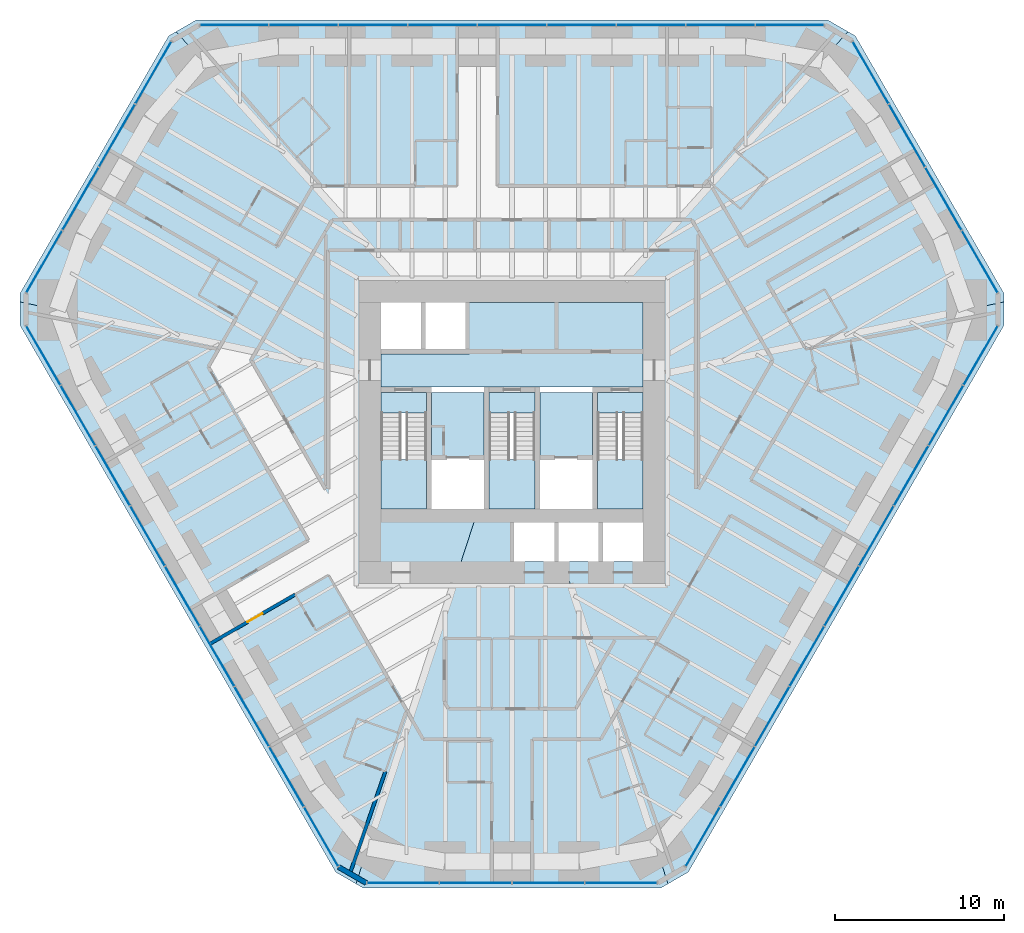
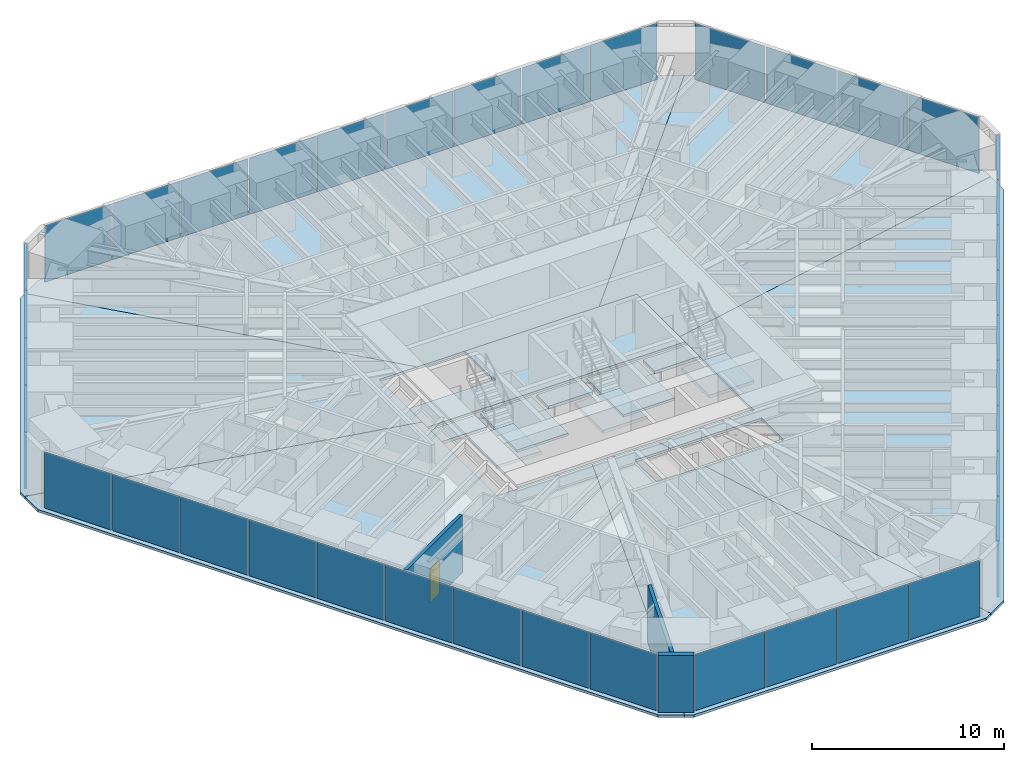
# One storey, part 10 of 17: 39 plates, 15 slabs, 3 walls, 1 door, 1 opening, 9 elements without a shape of their own.
"""IFC4 building model written with IfcOpenShell, lengths in metres."""

from ifc_helpers import new_model, si_unit, direction, frame, frame_2d, origin, origin_2d, place, context, subcontext, project, spatial, polyline, rectangle, outline, extrude, material, layer, layer_set, type_object, element, fill, aggregate, save


model = new_model("IFC4")

# Units and contexts
model_context = context("Model", 3, precision=1e-05, world=origin(), true_north=direction((0.0, 1.0)))
body_context = subcontext(model_context, "Body", "Model", "MODEL_VIEW")
ifc_project = project(units=[si_unit("LENGTHUNIT", "METRE"), si_unit("AREAUNIT", "SQUARE_METRE"), si_unit("VOLUMEUNIT", "CUBIC_METRE"), si_unit("PLANEANGLEUNIT", "RADIAN"), si_unit("MASSUNIT", "GRAM", prefix="KILO")], contexts=[model_context])

# Site, building, storey
site_placement = place(None, origin())
site = spatial("IfcSite", under=ifc_project, at=site_placement, CompositionType="ELEMENT")
building_placement = place(site_placement, origin())
building = spatial("IfcBuilding", under=site, at=building_placement, Name="Sandreach Pilgrim Tower", CompositionType="ELEMENT")
storey_placement = place(building_placement, frame((0.0, 0.0, 100.60009765625)))
storey = spatial("IfcBuildingStorey", under=building, at=storey_placement, Name="L24", CompositionType="ELEMENT", Elevation=100.60009765625)

# Curtain wall, plates
ifc_material_1 = material(Name="Aluminium framed curtain wall", Category="aluminium")
curtain_wall_type = type_object("IfcCurtainWallType", Name="Hotel tower curtain wall", PredefinedType="NOTDEFINED", material=ifc_material_1)
curtain_wall_1_placement = place(storey_placement, origin())
curtain_wall_1 = element("IfcCurtainWall", 1, at=curtain_wall_1_placement, inside=storey, type_object=curtain_wall_type, Name="CW-2 L24 N", PredefinedType="NOTDEFINED")
ifc_material_2 = material(Name="Insulating glass unit 8 heat-strengthened + 16 argon + 8 heat-strengthened", Category="glass")
ifc_layer_1 = layer(ifc_material_2, 0.031982421875)
ifc_layer_set_1 = layer_set([ifc_layer_1], Name="CW-2 panel")
plate_type = type_object("IfcPlateType", Name="CW-2 panel", PredefinedType="CURTAIN_PANEL", material=ifc_layer_set_1)
plate_1_placement = place(storey_placement, frame((-16.41162109375, 22.493896484375, 0.0), z_axis=(0.0, 0.0, 1.0), x_axis=(1.0, 0.0, 0.0)))
plate_1 = element("IfcPlate", 2, at=plate_1_placement, type_object=plate_type, Name="CW-2 panel 1", PredefinedType="CURTAIN_PANEL", context=body_context, shape_type="SweptSolid", body=[
    extrude(rectangle(XDim=4.009521484375, YDim=0.031982421875, at=origin_2d()), origin(), (0.0, 0.0, 1.0), 3.570068359375),
])
plate_2_placement = place(storey_placement, frame((-12.32080078125, 22.493896484375, 0.0), z_axis=(0.0, 0.0, 1.0), x_axis=(1.0, 0.0, 0.0)))
plate_2 = element("IfcPlate", 3, at=plate_2_placement, type_object=plate_type, Name="CW-2 panel 2", PredefinedType="CURTAIN_PANEL", context=body_context, shape_type="SweptSolid", body=[
    extrude(rectangle(XDim=4.0419921875, YDim=0.031982421875, at=origin_2d()), origin(), (0.0, 0.0, 1.0), 3.570068359375),
])
plate_3_placement = place(storey_placement, frame((-8.2138671875, 22.493896484375, 0.0), z_axis=(0.0, 0.0, 1.0), x_axis=(1.0, 0.0, 0.0)))
plate_3 = element("IfcPlate", 4, at=plate_3_placement, type_object=plate_type, Name="CW-2 panel 3", PredefinedType="CURTAIN_PANEL", context=body_context, shape_type="SweptSolid", body=[
    extrude(rectangle(XDim=4.0419921875, YDim=0.031982421875, at=origin_2d()), origin(), (0.0, 0.0, 1.0), 3.570068359375),
])
plate_4_placement = place(storey_placement, frame((-4.10693359375, 22.493896484375, 0.0), z_axis=(0.0, 0.0, 1.0), x_axis=(1.0, 0.0, 0.0)))
plate_4 = element("IfcPlate", 5, at=plate_4_placement, type_object=plate_type, Name="CW-2 panel 4", PredefinedType="CURTAIN_PANEL", context=body_context, shape_type="SweptSolid", body=[
    extrude(rectangle(XDim=4.0419921875, YDim=0.031982421875, at=origin_2d()), origin(), (0.0, 0.0, 1.0), 3.570068359375),
])
plate_5_placement = place(storey_placement, frame((0.0, 22.493896484375, 0.0), z_axis=(0.0, 0.0, 1.0), x_axis=(1.0, 0.0, 0.0)))
plate_5 = element("IfcPlate", 6, at=plate_5_placement, type_object=plate_type, Name="CW-2 panel 5", PredefinedType="CURTAIN_PANEL", context=body_context, shape_type="SweptSolid", body=[
    extrude(rectangle(XDim=4.0419921875, YDim=0.031982421875, at=origin_2d()), origin(), (0.0, 0.0, 1.0), 3.570068359375),
])
plate_6_placement = place(storey_placement, frame((4.10693359375, 22.493896484375, 0.0), z_axis=(0.0, 0.0, 1.0), x_axis=(1.0, 0.0, 0.0)))
plate_6 = element("IfcPlate", 7, at=plate_6_placement, type_object=plate_type, Name="CW-2 panel 6", PredefinedType="CURTAIN_PANEL", context=body_context, shape_type="SweptSolid", body=[
    extrude(rectangle(XDim=4.0419921875, YDim=0.031982421875, at=origin_2d()), origin(), (0.0, 0.0, 1.0), 3.570068359375),
])
plate_7_placement = place(storey_placement, frame((8.2138671875, 22.493896484375, 0.0), z_axis=(0.0, 0.0, 1.0), x_axis=(1.0, 0.0, 0.0)))
plate_7 = element("IfcPlate", 8, at=plate_7_placement, type_object=plate_type, Name="CW-2 panel 7", PredefinedType="CURTAIN_PANEL", context=body_context, shape_type="SweptSolid", body=[
    extrude(rectangle(XDim=4.0419921875, YDim=0.031982421875, at=origin_2d()), origin(), (0.0, 0.0, 1.0), 3.570068359375),
])
plate_8_placement = place(storey_placement, frame((12.32080078125, 22.493896484375, 0.0), z_axis=(0.0, 0.0, 1.0), x_axis=(1.0, 0.0, 0.0)))
plate_8 = element("IfcPlate", 9, at=plate_8_placement, type_object=plate_type, Name="CW-2 panel 8", PredefinedType="CURTAIN_PANEL", context=body_context, shape_type="SweptSolid", body=[
    extrude(rectangle(XDim=4.0419921875, YDim=0.031982421875, at=origin_2d()), origin(), (0.0, 0.0, 1.0), 3.570068359375),
])
plate_9_placement = place(storey_placement, frame((16.41162109375, 22.493896484375, 0.0), z_axis=(0.0, 0.0, 1.0), x_axis=(1.0, 0.0, 0.0)))
plate_9 = element("IfcPlate", 10, at=plate_9_placement, type_object=plate_type, Name="CW-2 panel 9", PredefinedType="CURTAIN_PANEL", context=body_context, shape_type="SweptSolid", body=[
    extrude(rectangle(XDim=4.009521484375, YDim=0.031982421875, at=origin_2d()), origin(), (0.0, 0.0, 1.0), 3.570068359375),
])
aggregate(curtain_wall_1, [plate_1, plate_2, plate_3, plate_4, plate_5, plate_6, plate_7, plate_8, plate_9])

curtain_wall_2_placement = place(storey_placement, origin())
curtain_wall_2 = element("IfcCurtainWall", 11, at=curtain_wall_2_placement, inside=storey, type_object=curtain_wall_type, Name="CW-2 L24 NE", PredefinedType="NOTDEFINED")
plate_10_placement = place(storey_placement, frame((21.194091796875, 19.67529296875, 0.0), z_axis=(0.0, 0.0, 1.0), x_axis=(0.5, -0.866025403784, 0.0)))
plate_10 = element("IfcPlate", 12, at=plate_10_placement, type_object=plate_type, Name="CW-2 panel 1", PredefinedType="CURTAIN_PANEL", context=body_context, shape_type="SweptSolid", body=[
    extrude(rectangle(XDim=4.208251953125, YDim=0.031982421875, at=origin_2d()), origin(), (0.0, 0.0, 1.0), 3.570068359375),
])
plate_11_placement = place(storey_placement, frame((23.3388671875, 15.96044921875, 0.0), z_axis=(0.0, 0.0, 1.0), x_axis=(0.5, -0.866025403784, 0.0)))
plate_11 = element("IfcPlate", 13, at=plate_11_placement, type_object=plate_type, Name="CW-2 panel 2", PredefinedType="CURTAIN_PANEL", context=body_context, shape_type="SweptSolid", body=[
    extrude(rectangle(XDim=4.24072265625, YDim=0.031982421875, at=origin_2d()), origin(), (0.0, 0.0, 1.0), 3.570068359375),
])
plate_12_placement = place(storey_placement, frame((25.49169921875, 12.231689453125, 0.0), z_axis=(0.0, 0.0, 1.0), x_axis=(0.5, -0.866025403784, 0.0)))
plate_12 = element("IfcPlate", 14, at=plate_12_placement, type_object=plate_type, Name="CW-2 panel 3", PredefinedType="CURTAIN_PANEL", context=body_context, shape_type="SweptSolid", body=[
    extrude(rectangle(XDim=4.24072265625, YDim=0.031982421875, at=origin_2d()), origin(), (0.0, 0.0, 1.0), 3.570068359375),
])
plate_13_placement = place(storey_placement, frame((27.63623046875, 8.516845703125, 0.0), z_axis=(0.0, 0.0, 1.0), x_axis=(0.5, -0.866025403784, 0.0)))
plate_13 = element("IfcPlate", 15, at=plate_13_placement, type_object=plate_type, Name="CW-2 panel 4", PredefinedType="CURTAIN_PANEL", context=body_context, shape_type="SweptSolid", body=[
    extrude(rectangle(XDim=4.208251953125, YDim=0.031982421875, at=origin_2d()), origin(), (0.0, 0.0, 1.0), 3.570068359375),
])
aggregate(curtain_wall_2, [plate_10, plate_11, plate_12, plate_13])

curtain_wall_3_placement = place(storey_placement, origin())
curtain_wall_3 = element("IfcCurtainWall", 16, at=curtain_wall_3_placement, inside=storey, type_object=curtain_wall_type, Name="CW-2 L24 SE", PredefinedType="NOTDEFINED")
plate_14_placement = place(storey_placement, frame((27.68603515625, 2.966064453125, 0.0), z_axis=(0.0, 0.0, 1.0), x_axis=(-0.5, -0.866025403784, 0.0)))
plate_14 = element("IfcPlate", 17, at=plate_14_placement, type_object=plate_type, Name="CW-2 panel 1", PredefinedType="CURTAIN_PANEL", context=body_context, shape_type="SweptSolid", body=[
    extrude(rectangle(XDim=4.009521484375, YDim=0.031982421875, at=origin_2d()), origin(), (0.0, 0.0, 1.0), 3.570068359375),
])
plate_15_placement = place(storey_placement, frame((25.640625, -0.57666015625, 0.0), z_axis=(0.0, 0.0, 1.0), x_axis=(-0.5, -0.866025403784, 0.0)))
plate_15 = element("IfcPlate", 18, at=plate_15_placement, type_object=plate_type, Name="CW-2 panel 2", PredefinedType="CURTAIN_PANEL", context=body_context, shape_type="SweptSolid", body=[
    extrude(rectangle(XDim=4.0419921875, YDim=0.031982421875, at=origin_2d()), origin(), (0.0, 0.0, 1.0), 3.570068359375),
])
plate_16_placement = place(storey_placement, frame((23.587158203125, -4.13330078125, 0.0), z_axis=(0.0, 0.0, 1.0), x_axis=(-0.5, -0.866025403784, 0.0)))
plate_16 = element("IfcPlate", 19, at=plate_16_placement, type_object=plate_type, Name="CW-2 panel 3", PredefinedType="CURTAIN_PANEL", context=body_context, shape_type="SweptSolid", body=[
    extrude(rectangle(XDim=4.0419921875, YDim=0.031982421875, at=origin_2d()), origin(), (0.0, 0.0, 1.0), 3.570068359375),
])
plate_17_placement = place(storey_placement, frame((21.53369140625, -7.690185546875, 0.0), z_axis=(0.0, 0.0, 1.0), x_axis=(-0.5, -0.866025403784, 0.0)))
plate_17 = element("IfcPlate", 20, at=plate_17_placement, type_object=plate_type, Name="CW-2 panel 4", PredefinedType="CURTAIN_PANEL", context=body_context, shape_type="SweptSolid", body=[
    extrude(rectangle(XDim=4.0419921875, YDim=0.031982421875, at=origin_2d()), origin(), (0.0, 0.0, 1.0), 3.570068359375),
])
plate_18_placement = place(storey_placement, frame((19.480224609375, -11.246826171875, 0.0), z_axis=(0.0, 0.0, 1.0), x_axis=(-0.5, -0.866025403784, 0.0)))
plate_18 = element("IfcPlate", 21, at=plate_18_placement, type_object=plate_type, Name="CW-2 panel 5", PredefinedType="CURTAIN_PANEL", context=body_context, shape_type="SweptSolid", body=[
    extrude(rectangle(XDim=4.0419921875, YDim=0.031982421875, at=origin_2d()), origin(), (0.0, 0.0, 1.0), 3.570068359375),
])
plate_19_placement = place(storey_placement, frame((17.4267578125, -14.8037109375, 0.0), z_axis=(0.0, 0.0, 1.0), x_axis=(-0.5, -0.866025403784, 0.0)))
plate_19 = element("IfcPlate", 22, at=plate_19_placement, type_object=plate_type, Name="CW-2 panel 6", PredefinedType="CURTAIN_PANEL", context=body_context, shape_type="SweptSolid", body=[
    extrude(rectangle(XDim=4.0419921875, YDim=0.031982421875, at=origin_2d()), origin(), (0.0, 0.0, 1.0), 3.570068359375),
])
plate_20_placement = place(storey_placement, frame((15.373291015625, -18.3603515625, 0.0), z_axis=(0.0, 0.0, 1.0), x_axis=(-0.5, -0.866025403784, 0.0)))
plate_20 = element("IfcPlate", 23, at=plate_20_placement, type_object=plate_type, Name="CW-2 panel 7", PredefinedType="CURTAIN_PANEL", context=body_context, shape_type="SweptSolid", body=[
    extrude(rectangle(XDim=4.0419921875, YDim=0.031982421875, at=origin_2d()), origin(), (0.0, 0.0, 1.0), 3.570068359375),
])
plate_21_placement = place(storey_placement, frame((13.31982421875, -21.917236328125, 0.0), z_axis=(0.0, 0.0, 1.0), x_axis=(-0.5, -0.866025403784, 0.0)))
plate_21 = element("IfcPlate", 24, at=plate_21_placement, type_object=plate_type, Name="CW-2 panel 8", PredefinedType="CURTAIN_PANEL", context=body_context, shape_type="SweptSolid", body=[
    extrude(rectangle(XDim=4.0419921875, YDim=0.031982421875, at=origin_2d()), origin(), (0.0, 0.0, 1.0), 3.570068359375),
])
plate_22_placement = place(storey_placement, frame((11.2744140625, -25.459716796875, 0.0), z_axis=(0.0, 0.0, 1.0), x_axis=(-0.5, -0.866025403784, 0.0)))
plate_22 = element("IfcPlate", 25, at=plate_22_placement, type_object=plate_type, Name="CW-2 panel 9", PredefinedType="CURTAIN_PANEL", context=body_context, shape_type="SweptSolid", body=[
    extrude(rectangle(XDim=4.009521484375, YDim=0.031982421875, at=origin_2d()), origin(), (0.0, 0.0, 1.0), 3.570068359375),
])
aggregate(curtain_wall_3, [plate_14, plate_15, plate_16, plate_17, plate_18, plate_19, plate_20, plate_21, plate_22])

curtain_wall_4_placement = place(storey_placement, origin())
curtain_wall_4 = element("IfcCurtainWall", 26, at=curtain_wall_4_placement, inside=storey, type_object=curtain_wall_type, Name="CW-2 L24 S", PredefinedType="NOTDEFINED")
plate_23_placement = place(storey_placement, frame((6.4423828125, -28.192138671875, 0.0), z_axis=(0.0, 0.0, 1.0), x_axis=(-1.0, 0.0, 0.0)))
plate_23 = element("IfcPlate", 27, at=plate_23_placement, type_object=plate_type, Name="CW-2 panel 1", PredefinedType="CURTAIN_PANEL", context=body_context, shape_type="SweptSolid", body=[
    extrude(rectangle(XDim=4.208251953125, YDim=0.031982421875, at=origin_2d()), origin(), (0.0, 0.0, 1.0), 3.570068359375),
])
plate_24_placement = place(storey_placement, frame((2.15283203125, -28.192138671875, 0.0), z_axis=(0.0, 0.0, 1.0), x_axis=(-1.0, 0.0, 0.0)))
plate_24 = element("IfcPlate", 28, at=plate_24_placement, type_object=plate_type, Name="CW-2 panel 2", PredefinedType="CURTAIN_PANEL", context=body_context, shape_type="SweptSolid", body=[
    extrude(rectangle(XDim=4.24072265625, YDim=0.031982421875, at=origin_2d()), origin(), (0.0, 0.0, 1.0), 3.570068359375),
])
plate_25_placement = place(storey_placement, frame((-2.15283203125, -28.192138671875, 0.0), z_axis=(0.0, 0.0, 1.0), x_axis=(-1.0, 0.0, 0.0)))
plate_25 = element("IfcPlate", 29, at=plate_25_placement, type_object=plate_type, Name="CW-2 panel 3", PredefinedType="CURTAIN_PANEL", context=body_context, shape_type="SweptSolid", body=[
    extrude(rectangle(XDim=4.24072265625, YDim=0.031982421875, at=origin_2d()), origin(), (0.0, 0.0, 1.0), 3.570068359375),
])
plate_26_placement = place(storey_placement, frame((-6.4423828125, -28.192138671875, 0.0), z_axis=(0.0, 0.0, 1.0), x_axis=(-1.0, 0.0, 0.0)))
plate_26 = element("IfcPlate", 30, at=plate_26_placement, type_object=plate_type, Name="CW-2 panel 4", PredefinedType="CURTAIN_PANEL", context=body_context, shape_type="SweptSolid", body=[
    extrude(rectangle(XDim=4.208251953125, YDim=0.031982421875, at=origin_2d()), origin(), (0.0, 0.0, 1.0), 3.570068359375),
])
aggregate(curtain_wall_4, [plate_23, plate_24, plate_25, plate_26])

curtain_wall_5_placement = place(storey_placement, origin())
curtain_wall_5 = element("IfcCurtainWall", 31, at=curtain_wall_5_placement, inside=storey, type_object=curtain_wall_type, Name="CW-2 L24 SW", PredefinedType="NOTDEFINED")
plate_27_placement = place(storey_placement, frame((-11.2744140625, -25.459716796875, 0.0), z_axis=(0.0, 0.0, 1.0), x_axis=(-0.5, 0.866025403784, 0.0)))
plate_27 = element("IfcPlate", 32, at=plate_27_placement, type_object=plate_type, Name="CW-2 panel 1", PredefinedType="CURTAIN_PANEL", context=body_context, shape_type="SweptSolid", body=[
    extrude(rectangle(XDim=4.009521484375, YDim=0.031982421875, at=origin_2d()), origin(), (0.0, 0.0, 1.0), 3.570068359375),
])
plate_28_placement = place(storey_placement, frame((-13.31982421875, -21.917236328125, 0.0), z_axis=(0.0, 0.0, 1.0), x_axis=(-0.5, 0.866025403784, 0.0)))
plate_28 = element("IfcPlate", 33, at=plate_28_placement, type_object=plate_type, Name="CW-2 panel 2", PredefinedType="CURTAIN_PANEL", context=body_context, shape_type="SweptSolid", body=[
    extrude(rectangle(XDim=4.0419921875, YDim=0.031982421875, at=origin_2d()), origin(), (0.0, 0.0, 1.0), 3.570068359375),
])
plate_29_placement = place(storey_placement, frame((-15.373291015625, -18.3603515625, 0.0), z_axis=(0.0, 0.0, 1.0), x_axis=(-0.5, 0.866025403784, 0.0)))
plate_29 = element("IfcPlate", 34, at=plate_29_placement, type_object=plate_type, Name="CW-2 panel 3", PredefinedType="CURTAIN_PANEL", context=body_context, shape_type="SweptSolid", body=[
    extrude(rectangle(XDim=4.0419921875, YDim=0.031982421875, at=origin_2d()), origin(), (0.0, 0.0, 1.0), 3.570068359375),
])
plate_30_placement = place(storey_placement, frame((-17.4267578125, -14.8037109375, 0.0), z_axis=(0.0, 0.0, 1.0), x_axis=(-0.5, 0.866025403784, 0.0)))
plate_30 = element("IfcPlate", 35, at=plate_30_placement, type_object=plate_type, Name="CW-2 panel 4", PredefinedType="CURTAIN_PANEL", context=body_context, shape_type="SweptSolid", body=[
    extrude(rectangle(XDim=4.0419921875, YDim=0.031982421875, at=origin_2d()), origin(), (0.0, 0.0, 1.0), 3.570068359375),
])
plate_31_placement = place(storey_placement, frame((-19.480224609375, -11.246826171875, 0.0), z_axis=(0.0, 0.0, 1.0), x_axis=(-0.5, 0.866025403784, 0.0)))
plate_31 = element("IfcPlate", 36, at=plate_31_placement, type_object=plate_type, Name="CW-2 panel 5", PredefinedType="CURTAIN_PANEL", context=body_context, shape_type="SweptSolid", body=[
    extrude(rectangle(XDim=4.0419921875, YDim=0.031982421875, at=origin_2d()), origin(), (0.0, 0.0, 1.0), 3.570068359375),
])
plate_32_placement = place(storey_placement, frame((-21.53369140625, -7.690185546875, 0.0), z_axis=(0.0, 0.0, 1.0), x_axis=(-0.5, 0.866025403784, 0.0)))
plate_32 = element("IfcPlate", 37, at=plate_32_placement, type_object=plate_type, Name="CW-2 panel 6", PredefinedType="CURTAIN_PANEL", context=body_context, shape_type="SweptSolid", body=[
    extrude(rectangle(XDim=4.0419921875, YDim=0.031982421875, at=origin_2d()), origin(), (0.0, 0.0, 1.0), 3.570068359375),
])
plate_33_placement = place(storey_placement, frame((-23.587158203125, -4.13330078125, 0.0), z_axis=(0.0, 0.0, 1.0), x_axis=(-0.5, 0.866025403784, 0.0)))
plate_33 = element("IfcPlate", 38, at=plate_33_placement, type_object=plate_type, Name="CW-2 panel 7", PredefinedType="CURTAIN_PANEL", context=body_context, shape_type="SweptSolid", body=[
    extrude(rectangle(XDim=4.0419921875, YDim=0.031982421875, at=origin_2d()), origin(), (0.0, 0.0, 1.0), 3.570068359375),
])
plate_34_placement = place(storey_placement, frame((-25.640625, -0.57666015625, 0.0), z_axis=(0.0, 0.0, 1.0), x_axis=(-0.5, 0.866025403784, 0.0)))
plate_34 = element("IfcPlate", 39, at=plate_34_placement, type_object=plate_type, Name="CW-2 panel 8", PredefinedType="CURTAIN_PANEL", context=body_context, shape_type="SweptSolid", body=[
    extrude(rectangle(XDim=4.0419921875, YDim=0.031982421875, at=origin_2d()), origin(), (0.0, 0.0, 1.0), 3.570068359375),
])
plate_35_placement = place(storey_placement, frame((-27.68603515625, 2.966064453125, 0.0), z_axis=(0.0, 0.0, 1.0), x_axis=(-0.5, 0.866025403784, 0.0)))
plate_35 = element("IfcPlate", 40, at=plate_35_placement, type_object=plate_type, Name="CW-2 panel 9", PredefinedType="CURTAIN_PANEL", context=body_context, shape_type="SweptSolid", body=[
    extrude(rectangle(XDim=4.009521484375, YDim=0.031982421875, at=origin_2d()), origin(), (0.0, 0.0, 1.0), 3.570068359375),
])
aggregate(curtain_wall_5, [plate_27, plate_28, plate_29, plate_30, plate_31, plate_32, plate_33, plate_34, plate_35])

curtain_wall_6_placement = place(storey_placement, origin())
curtain_wall_6 = element("IfcCurtainWall", 41, at=curtain_wall_6_placement, inside=storey, type_object=curtain_wall_type, Name="CW-2 L24 NW", PredefinedType="NOTDEFINED")
plate_36_placement = place(storey_placement, frame((-27.63623046875, 8.516845703125, 0.0), z_axis=(0.0, 0.0, 1.0), x_axis=(0.5, 0.866025403784, 0.0)))
plate_36 = element("IfcPlate", 42, at=plate_36_placement, type_object=plate_type, Name="CW-2 panel 1", PredefinedType="CURTAIN_PANEL", context=body_context, shape_type="SweptSolid", body=[
    extrude(rectangle(XDim=4.208251953125, YDim=0.031982421875, at=origin_2d()), origin(), (0.0, 0.0, 1.0), 3.570068359375),
])
plate_37_placement = place(storey_placement, frame((-25.49169921875, 12.231689453125, 0.0), z_axis=(0.0, 0.0, 1.0), x_axis=(0.5, 0.866025403784, 0.0)))
plate_37 = element("IfcPlate", 43, at=plate_37_placement, type_object=plate_type, Name="CW-2 panel 2", PredefinedType="CURTAIN_PANEL", context=body_context, shape_type="SweptSolid", body=[
    extrude(rectangle(XDim=4.24072265625, YDim=0.031982421875, at=origin_2d()), origin(), (0.0, 0.0, 1.0), 3.570068359375),
])
plate_38_placement = place(storey_placement, frame((-23.3388671875, 15.96044921875, 0.0), z_axis=(0.0, 0.0, 1.0), x_axis=(0.5, 0.866025403784, 0.0)))
plate_38 = element("IfcPlate", 44, at=plate_38_placement, type_object=plate_type, Name="CW-2 panel 3", PredefinedType="CURTAIN_PANEL", context=body_context, shape_type="SweptSolid", body=[
    extrude(rectangle(XDim=4.24072265625, YDim=0.031982421875, at=origin_2d()), origin(), (0.0, 0.0, 1.0), 3.570068359375),
])
plate_39_placement = place(storey_placement, frame((-21.194091796875, 19.67529296875, 0.0), z_axis=(0.0, 0.0, 1.0), x_axis=(0.5, 0.866025403784, 0.0)))
plate_39 = element("IfcPlate", 45, at=plate_39_placement, type_object=plate_type, Name="CW-2 panel 4", PredefinedType="CURTAIN_PANEL", context=body_context, shape_type="SweptSolid", body=[
    extrude(rectangle(XDim=4.208251953125, YDim=0.031982421875, at=origin_2d()), origin(), (0.0, 0.0, 1.0), 3.570068359375),
])
aggregate(curtain_wall_6, [plate_36, plate_37, plate_38, plate_39])

# Slabs
ifc_material_3 = material(Name="Concrete 8000 psi", Category="concrete")
ifc_layer_2 = layer(ifc_material_3, 0.159912109375)
ifc_layer_set_2 = layer_set([ifc_layer_2], Name="Composite floor slab 160")
slab_type_1 = type_object("IfcSlabType", Name="Composite floor slab 160", PredefinedType="FLOOR", material=ifc_layer_set_2)
slab_1_placement = place(storey_placement, frame((0.0, 0.0, -0.16015625)))
element("IfcSlab", 46, at=slab_1_placement, inside=storey, type_object=slab_type_1, Name="Floor slab L24 N sector", PredefinedType="FLOOR", context=body_context, shape_type="SweptSolid", body=[
    extrude(outline(polyline([(-18.654541015625, 22.793701171875), (18.654541015625, 22.793701171875), (19.848388671875, 22.1044921875), (5.477294921875, 6.10009765625), (-5.477294921875, 6.10009765625), (-19.848388671875, 22.1044921875), (-18.654541015625, 22.793701171875)])), origin(), (0.0, 0.0, 1.0), 0.16015625),
])
slab_2_placement = place(storey_placement, frame((0.0, 0.0, -0.16015625)))
element("IfcSlab", 47, at=slab_2_placement, inside=storey, type_object=slab_type_1, Name="Floor slab L24 NE sector", PredefinedType="FLOOR", context=body_context, shape_type="SweptSolid", body=[
    extrude(outline(polyline([(20.28271484375, 21.853759765625), (29.0673828125, 6.638427734375), (29.0673828125, 6.13720703125), (7.75, 1.63623046875), (7.75, 6.10009765625), (5.477294921875, 6.10009765625), (19.848388671875, 22.1044921875), (20.28271484375, 21.853759765625)])), origin(), (0.0, 0.0, 1.0), 0.16015625),
])
slab_3_placement = place(storey_placement, frame((0.0, 0.0, -0.16015625)))
element("IfcSlab", 48, at=slab_3_placement, inside=storey, type_object=slab_type_1, Name="Floor slab L24 SE sector", PredefinedType="FLOOR", context=body_context, shape_type="SweptSolid", body=[
    extrude(outline(polyline([(29.0673828125, 4.75830078125), (10.41259765625, -27.55224609375), (9.21875, -28.241455078125), (3.003173828125, -9.199951171875), (7.75, -9.199951171875), (7.75, -6.89990234375), (2.252197265625, -6.89990234375), (1.9912109375, -6.10009765625), (7.75, -6.10009765625), (7.75, 1.63623046875), (29.0673828125, 6.13720703125), (29.0673828125, 4.75830078125)])), origin(), (0.0, 0.0, 1.0), 0.16015625),
])
slab_4_placement = place(storey_placement, frame((0.0, 0.0, -0.16015625)))
element("IfcSlab", 49, at=slab_4_placement, inside=storey, type_object=slab_type_1, Name="Floor slab L24 S sector", PredefinedType="FLOOR", context=body_context, shape_type="SweptSolid", body=[
    extrude(outline(polyline([(8.78466796875, -28.4921875), (-8.78466796875, -28.4921875), (-9.21875, -28.241455078125), (-1.9912109375, -6.10009765625), (1.9912109375, -6.10009765625), (2.252197265625, -6.89990234375), (0.125, -6.89990234375), (0.125, -9.199951171875), (3.003173828125, -9.199951171875), (9.21875, -28.241455078125), (8.78466796875, -28.4921875)])), origin(), (0.0, 0.0, 1.0), 0.16015625),
])
slab_5_placement = place(storey_placement, frame((0.0, 0.0, -0.16015625)))
element("IfcSlab", 50, at=slab_5_placement, inside=storey, type_object=slab_type_1, Name="Floor slab L24 SW sector", PredefinedType="FLOOR", context=body_context, shape_type="SweptSolid", body=[
    extrude(outline(polyline([(-10.41259765625, -27.55224609375), (-29.0673828125, 4.75830078125), (-29.0673828125, 6.13720703125), (-7.75, 1.63623046875), (-7.75, -6.10009765625), (-1.9912109375, -6.10009765625), (-9.21875, -28.241455078125), (-10.41259765625, -27.55224609375)])), origin(), (0.0, 0.0, 1.0), 0.16015625),
])
slab_6_placement = place(storey_placement, frame((0.0, 0.0, -0.16015625)))
element("IfcSlab", 51, at=slab_6_placement, inside=storey, type_object=slab_type_1, Name="Floor slab L24 NW sector", PredefinedType="FLOOR", context=body_context, shape_type="SweptSolid", body=[
    extrude(outline(polyline([(-29.0673828125, 6.638427734375), (-20.28271484375, 21.853759765625), (-19.848388671875, 22.1044921875), (-5.477294921875, 6.10009765625), (-7.75, 6.10009765625), (-7.75, 1.63623046875), (-29.0673828125, 6.13720703125), (-29.0673828125, 6.638427734375)])), origin(), (0.0, 0.0, 1.0), 0.16015625),
])
slab_7_placement = place(storey_placement, frame((0.0, 0.0, -0.16015625)))
element("IfcSlab", 52, at=slab_7_placement, inside=storey, type_object=slab_type_1, Name="Core floor slab L24", PredefinedType="FLOOR", context=body_context, shape_type="SweptSolid", body=[
    extrude(outline(polyline([(-7.75, 3.050048828125), (-5.375, 3.050048828125), (-5.125, 3.050048828125), (-2.5, 3.050048828125), (-2.5, 3.35009765625), (-2.60009765625, 3.35009765625), (-2.60009765625, 6.10009765625), (7.75, 6.10009765625), (7.75, 1.10009765625), (5.050048828125, 1.10009765625), (4.75, 1.10009765625), (1.64990234375, 1.10009765625), (1.35009765625, 1.10009765625), (-1.35009765625, 1.10009765625), (-1.64990234375, 1.10009765625), (-4.75, 1.10009765625), (-5.050048828125, 1.10009765625), (-7.75, 1.10009765625), (-7.75, 3.050048828125)])), origin(), (0.0, 0.0, 1.0), 0.16015625),
])
slab_8_placement = place(storey_placement, frame((0.0, 0.0, -0.16015625)))
element("IfcSlab", 53, at=slab_8_placement, inside=storey, type_object=slab_type_1, Name="Core floor slab L24 2", PredefinedType="FLOOR", context=body_context, shape_type="SweptSolid", body=[
    extrude(outline(polyline([(-1.64990234375, -3.050048828125), (-4.75, -3.050048828125), (-4.75, 0.800048828125), (-1.64990234375, 0.800048828125), (-1.64990234375, -3.050048828125)])), origin(), (0.0, 0.0, 1.0), 0.16015625),
])
slab_9_placement = place(storey_placement, frame((0.0, 0.0, -0.16015625)))
element("IfcSlab", 54, at=slab_9_placement, inside=storey, type_object=slab_type_1, Name="Core floor slab L24 3", PredefinedType="FLOOR", context=body_context, shape_type="SweptSolid", body=[
    extrude(outline(polyline([(4.75, -3.050048828125), (1.64990234375, -3.050048828125), (1.64990234375, 0.800048828125), (4.75, 0.800048828125), (4.75, -3.050048828125)])), origin(), (0.0, 0.0, 1.0), 0.16015625),
])

# Stair, slabs
ifc_material_4 = material(Name="Concrete 8000 psi", Category="concrete")
stair_type = type_object("IfcStairType", Name="Core exit stair", PredefinedType="HALF_TURN_STAIR", material=ifc_material_4)
stair_1_placement = place(storey_placement, origin())
stair_1 = element("IfcStair", 55, at=stair_1_placement, inside=storey, type_object=stair_type, Name="Exit stair ST1 L24", PredefinedType="HALF_TURN_STAIR")
ifc_material_5 = material(Name="Concrete 8000 psi", Category="concrete")
ifc_layer_3 = layer(ifc_material_5, 0.199951171875)
ifc_layer_set_3 = layer_set([ifc_layer_3], Name="Core stair landing 200")
slab_type_2 = type_object("IfcSlabType", Name="Core stair landing 200", PredefinedType="LANDING", material=ifc_layer_set_3)
slab_10_placement = place(storey_placement, frame((0.0, 0.0, -0.2001953125)))
slab_10 = element("IfcSlab", 56, at=slab_10_placement, type_object=slab_type_2, Name="ST1 landing 1", PredefinedType="LANDING", context=body_context, shape_type="SweptSolid", body=[
    extrude(outline(polyline([(-7.75, -0.425048828125), (-5.050048828125, -0.425048828125), (-5.050048828125, 0.800048828125), (-7.75, 0.800048828125), (-7.75, -0.425048828125)])), origin(), (0.0, 0.0, 1.0), 0.2001953125),
])
slab_11_placement = place(storey_placement, frame((0.0, 0.0, 1.699951171875)))
slab_11 = element("IfcSlab", 57, at=slab_11_placement, type_object=slab_type_2, Name="ST1 landing 2", PredefinedType="LANDING", context=body_context, shape_type="SweptSolid", body=[
    extrude(outline(polyline([(-7.75, -6.10009765625), (-5.050048828125, -6.10009765625), (-5.050048828125, -3.175048828125), (-7.75, -3.175048828125), (-7.75, -6.10009765625)])), origin(), (0.0, 0.0, 1.0), 0.199951171875),
])
aggregate(stair_1, [slab_10, slab_11])

stair_2_placement = place(storey_placement, origin())
stair_2 = element("IfcStair", 58, at=stair_2_placement, inside=storey, type_object=stair_type, Name="Exit stair ST3 L24", PredefinedType="HALF_TURN_STAIR")
slab_12_placement = place(storey_placement, frame((0.0, 0.0, -0.2001953125)))
slab_12 = element("IfcSlab", 59, at=slab_12_placement, type_object=slab_type_2, Name="ST3 landing 1", PredefinedType="LANDING", context=body_context, shape_type="SweptSolid", body=[
    extrude(outline(polyline([(-1.35009765625, -0.425048828125), (1.35009765625, -0.425048828125), (1.35009765625, 0.800048828125), (-1.35009765625, 0.800048828125), (-1.35009765625, -0.425048828125)])), origin(), (0.0, 0.0, 1.0), 0.2001953125),
])
slab_13_placement = place(storey_placement, frame((0.0, 0.0, 1.699951171875)))
slab_13 = element("IfcSlab", 60, at=slab_13_placement, type_object=slab_type_2, Name="ST3 landing 2", PredefinedType="LANDING", context=body_context, shape_type="SweptSolid", body=[
    extrude(outline(polyline([(-1.35009765625, -6.10009765625), (1.35009765625, -6.10009765625), (1.35009765625, -3.175048828125), (-1.35009765625, -3.175048828125), (-1.35009765625, -6.10009765625)])), origin(), (0.0, 0.0, 1.0), 0.199951171875),
])
aggregate(stair_2, [slab_12, slab_13])

stair_3_placement = place(storey_placement, origin())
stair_3 = element("IfcStair", 61, at=stair_3_placement, inside=storey, type_object=stair_type, Name="Exit stair ST2 L24", PredefinedType="HALF_TURN_STAIR")
slab_14_placement = place(storey_placement, frame((0.0, 0.0, -0.2001953125)))
slab_14 = element("IfcSlab", 62, at=slab_14_placement, type_object=slab_type_2, Name="ST2 landing 1", PredefinedType="LANDING", context=body_context, shape_type="SweptSolid", body=[
    extrude(outline(polyline([(5.050048828125, -0.425048828125), (7.75, -0.425048828125), (7.75, 0.800048828125), (5.050048828125, 0.800048828125), (5.050048828125, -0.425048828125)])), origin(), (0.0, 0.0, 1.0), 0.2001953125),
])
slab_15_placement = place(storey_placement, frame((0.0, 0.0, 1.699951171875)))
slab_15 = element("IfcSlab", 63, at=slab_15_placement, type_object=slab_type_2, Name="ST2 landing 2", PredefinedType="LANDING", context=body_context, shape_type="SweptSolid", body=[
    extrude(outline(polyline([(5.050048828125, -6.10009765625), (7.75, -6.10009765625), (7.75, -3.175048828125), (5.050048828125, -3.175048828125), (5.050048828125, -6.10009765625)])), origin(), (0.0, 0.0, 1.0), 0.199951171875),
])
aggregate(stair_3, [slab_14, slab_15])

# Wall, opening, door
ifc_material_6 = material(Name="Gypsum board on steel studs, two layers each side", Category="steel")
ifc_layer_4 = layer(ifc_material_6, 0.199951171875)
ifc_layer_set_4 = layer_set([ifc_layer_4], Name="Corridor wall 200")
wall_type_1 = type_object("IfcWallType", Name="Corridor wall 200", PredefinedType="PARTITIONING", material=ifc_layer_set_4)
wall_1_placement = place(storey_placement, frame((-17.823974609375, -14.044921875, 0.0), z_axis=(0.0, 0.0, 1.0), x_axis=(0.866007919525, 0.500030282404, 0.0)))
wall_1 = element("IfcWall", 64, at=wall_1_placement, inside=storey, type_object=wall_type_1, Name="Corridor wall L24-017", PredefinedType="PARTITIONING", context=body_context, shape_type="SweptSolid", body=[
    extrude(rectangle(XDim=5.789794921875, YDim=0.199951171875, at=frame_2d((2.89501953125, 0.0))), origin(), (0.0, 0.0, 1.0), 3.639892578125),
])
opening_placement = place(wall_1_placement, frame((2.550048828125, 0.0, 0.0)))
opening = element("IfcOpeningElement", 65, at=opening_placement, cuts=wall_1, Name="Opening D10-13", PredefinedType="OPENING", context=body_context, shape_type="SweptSolid", body=[
    extrude(rectangle(XDim=1.0, YDim=2.1298828125, at=frame_2d((0.5, 1.06494140625))), frame((0.0, 0.10009765625, 0.0), z_axis=(0.0, -1.0, 0.0), x_axis=(1.0, 0.0, 0.0)), (0.0, 0.0, 1.0), 0.199951171875),
])
ifc_material_7 = material(Name="Steel door and frame", Category="steel")
door_type = type_object("IfcDoorType", Name="Guest room entry door", OperationType="SINGLE_SWING_LEFT", PredefinedType="DOOR", material=ifc_material_7)
door_placement = place(opening_placement, origin())
door = element("IfcDoor", 66, at=door_placement, inside=storey, type_object=door_type, Name="Door 2413", OperationType="SINGLE_SWING_RIGHT", OverallHeight=2.1298828125, OverallWidth=1.0, PredefinedType="DOOR", context=body_context, shape_type="SweptSolid", body=[
    extrude(rectangle(XDim=1.0, YDim=2.1298828125, at=frame_2d((0.5, 1.06494140625))), frame((0.0, 0.02490234375, 0.0), z_axis=(0.0, -1.0, 0.0), x_axis=(1.0, 0.0, 0.0)), (0.0, 0.0, 1.0), 0.050048828125),
])
fill(opening, door)

# Walls
ifc_material_8 = material(Name="Double steel stud acoustic wall, gypsum board", Category="steel")
ifc_layer_5 = layer(ifc_material_8, 0.199951171875)
ifc_layer_set_5 = layer_set([ifc_layer_5], Name="Party wall 200")
wall_type_2 = type_object("IfcWallType", Name="Party wall 200", PredefinedType="PARTITIONING", material=ifc_layer_set_5)
wall_2_placement = place(storey_placement, frame((-9.580078125, -27.651611328125, 0.0), z_axis=(0.0, 0.0, 1.0), x_axis=(0.327855318627, 0.944727944991, 0.0)))
element("IfcWall", 67, at=wall_2_placement, inside=storey, type_object=wall_type_2, Name="Party wall L24-052", PredefinedType="PARTITIONING", context=body_context, shape_type="SweptSolid", body=[
    extrude(rectangle(XDim=6.405517578125, YDim=0.199951171875, at=frame_2d((3.20263671875, 0.0))), origin(), (0.0, 0.0, 1.0), 3.639892578125),
])
ifc_material_9 = material(Name="Terracotta rainscreen on concrete", Category="masonry")
ifc_layer_6 = layer(ifc_material_9, 0.300048828125)
ifc_layer_set_6 = layer_set([ifc_layer_6], Name="Terracotta chamfer pier")
wall_type_3 = type_object("IfcWallType", Name="Terracotta chamfer pier", PredefinedType="SOLIDWALL", material=ifc_layer_set_6)
wall_3_placement = place(storey_placement, frame((-8.611328125, -28.192138671875, 0.0), z_axis=(0.0, 0.0, 1.0), x_axis=(-0.866045024864, 0.499966013754, 0.0)))
element("IfcWall", 68, at=wall_3_placement, inside=storey, type_object=wall_type_3, Name="Chamfer pier L24 S", PredefinedType="SOLIDWALL", context=body_context, shape_type="SweptSolid", body=[
    extrude(rectangle(XDim=1.880126953125, YDim=0.300048828125, at=frame_2d((0.93994140625, 0.0))), origin(), (0.0, 0.0, 1.0), 3.639892578125),
])

save(model, "model.ifc")
